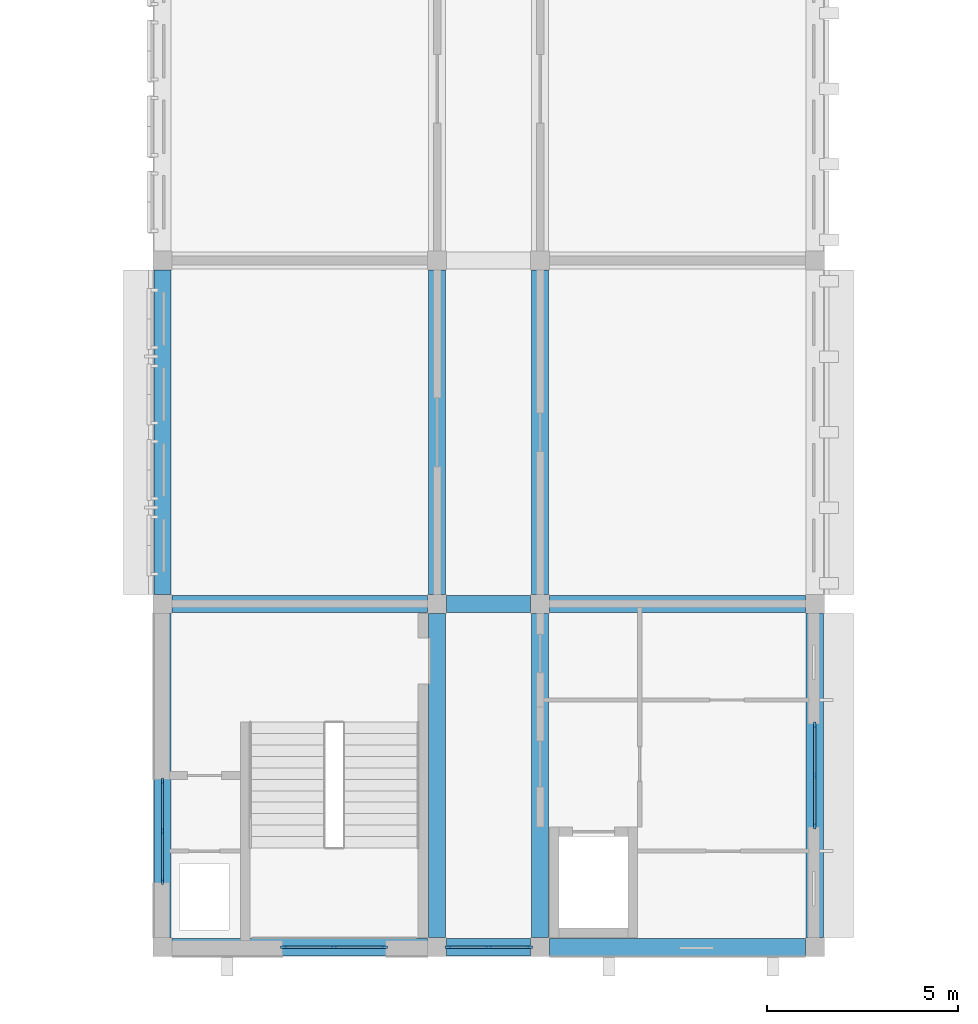
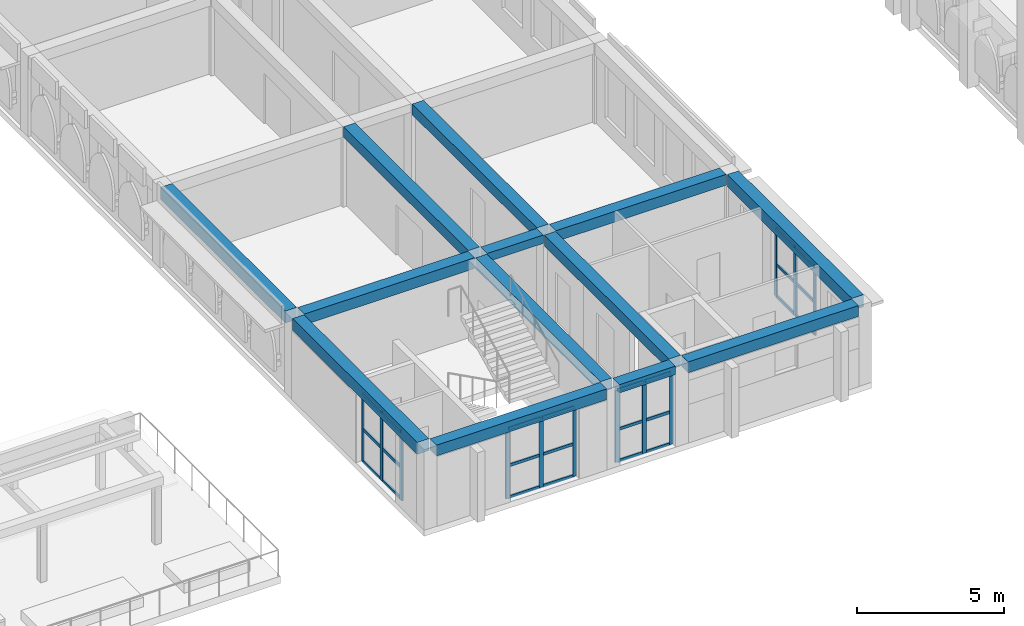
# One storey, part 13 of 70: 36 members, 13 beams, 4 elements without a shape of their own.
"""IFC4 building model written with IfcOpenShell, lengths in metres."""

from ifc_helpers import new_model, si_unit, direction, frame, origin, origin_2d, place, context, subcontext, project, spatial, rectangle, extrude, material, layer, layer_set, material_profile, profile_set, type_object, element, aggregate, save


model = new_model("IFC4")

# Units and contexts
model_context = context("Model", 3, precision=1e-05, world=origin(), true_north=direction((0.0, 1.0)))
body_context = subcontext(model_context, "Body", "Model", "MODEL_VIEW")
ifc_project = project(units=[si_unit("LENGTHUNIT", "METRE"), si_unit("AREAUNIT", "SQUARE_METRE"), si_unit("VOLUMEUNIT", "CUBIC_METRE"), si_unit("PLANEANGLEUNIT", "RADIAN"), si_unit("MASSUNIT", "GRAM", prefix="KILO")], contexts=[model_context])

# Site, building, storey
site_placement = place(None, origin())
site = spatial("IfcSite", under=ifc_project, at=site_placement, CompositionType="ELEMENT")
building_placement = place(site_placement, origin())
building = spatial("IfcBuilding", under=site, at=building_placement, Name="Elbe Cascade School", CompositionType="ELEMENT")
storey_placement = place(building_placement, frame((0.0, 0.0, 8.10009765625)))
storey = spatial("IfcBuildingStorey", under=building, at=storey_placement, Name="L02", CompositionType="ELEMENT", Elevation=8.10009765625)

# Curtain wall, members
ifc_material_1 = material(Name="Aluminium frame with double glazing, bronze anodised", Category="aluminium")
ifc_layer = layer(ifc_material_1, 0.159912109375)
ifc_layer_set = layer_set([ifc_layer], Name="Aluminium frame with double glazing, bronze anodised")
curtain_wall_type = type_object("IfcCurtainWallType", Name="Bars envelope Curtain wall, aluminium, bronze anodised, storey-high slot", PredefinedType="NOTDEFINED", material=ifc_layer_set)
curtain_wall_1_placement = place(storey_placement, origin())
curtain_wall_1 = element("IfcCurtainWall", 1, at=curtain_wall_1_placement, inside=storey, type_object=curtain_wall_type, Name="Curtain wall CW4 A.L02.w1", PredefinedType="NOTDEFINED")
ifc_material_2 = material(Name="Aluminium mullion, bronze anodised", Category="aluminium")
ifc_material_profile_1 = material_profile(ifc_material_2, rectangle(XDim=0.06005859375, YDim=0.159912109375, at=origin_2d()), Name="Bars envelope Curtain wall mullion 60 x 160, aluminium, storey-high slot")
ifc_profile_set_1 = profile_set([ifc_material_profile_1], Name="Aluminium mullion, bronze anodised")
member_type_1 = type_object("IfcMemberType", Name="Bars envelope Curtain wall mullion 60 x 160, aluminium, storey-high slot", PredefinedType="MULLION", material=ifc_profile_set_1)
member_1_placement = place(storey_placement, frame((69.0, 7.719970703125, 0.0), z_axis=(0.0, 0.0, 1.0), x_axis=(-1.0, 0.0, 0.0)))
member_1 = element("IfcMember", 2, at=member_1_placement, type_object=member_type_1, Name="CW4 mullion 1", PredefinedType="MULLION", context=body_context, shape_type="SweptSolid", body=[
    extrude(rectangle(XDim=0.06005859375, YDim=0.159912109375, at=origin_2d()), origin(), (0.0, 0.0, 1.0), 2.849853515625),
])
member_2_placement = place(storey_placement, frame((69.0, 9.0400390625, 0.0), z_axis=(0.0, 0.0, 1.0), x_axis=(-1.0, 0.0, 0.0)))
member_2 = element("IfcMember", 3, at=member_2_placement, type_object=member_type_1, Name="CW4 mullion 2", PredefinedType="MULLION", context=body_context, shape_type="SweptSolid", body=[
    extrude(rectangle(XDim=0.06005859375, YDim=0.159912109375, at=origin_2d()), origin(), (0.0, 0.0, 1.0), 2.849853515625),
])
member_3_placement = place(storey_placement, frame((69.0, 10.360107421875, 0.0), z_axis=(0.0, 0.0, 1.0), x_axis=(-1.0, 0.0, 0.0)))
member_3 = element("IfcMember", 4, at=member_3_placement, type_object=member_type_1, Name="CW4 mullion 3", PredefinedType="MULLION", context=body_context, shape_type="SweptSolid", body=[
    extrude(rectangle(XDim=0.06005859375, YDim=0.159912109375, at=origin_2d()), origin(), (0.0, 0.0, 1.0), 2.849853515625),
])

curtain_wall_2_placement = place(storey_placement, origin())
curtain_wall_2 = element("IfcCurtainWall", 5, at=curtain_wall_2_placement, inside=storey, type_object=curtain_wall_type, Name="Curtain wall CW4 A.L02.e1", PredefinedType="NOTDEFINED")
member_4_placement = place(storey_placement, frame((86.10009765625, 11.820068359375, 0.0), z_axis=(0.0, 0.0, 1.0), x_axis=(1.0, 0.0, 0.0)))
member_4 = element("IfcMember", 6, at=member_4_placement, type_object=member_type_1, Name="CW4 mullion 1", PredefinedType="MULLION", context=body_context, shape_type="SweptSolid", body=[
    extrude(rectangle(XDim=0.06005859375, YDim=0.159912109375, at=origin_2d()), origin(), (0.0, 0.0, 1.0), 2.849853515625),
])
member_5_placement = place(storey_placement, frame((86.10009765625, 10.5, 0.0), z_axis=(0.0, 0.0, 1.0), x_axis=(1.0, 0.0, 0.0)))
member_5 = element("IfcMember", 7, at=member_5_placement, type_object=member_type_1, Name="CW4 mullion 2", PredefinedType="MULLION", context=body_context, shape_type="SweptSolid", body=[
    extrude(rectangle(XDim=0.06005859375, YDim=0.159912109375, at=origin_2d()), origin(), (0.0, 0.0, 1.0), 2.849853515625),
])
member_6_placement = place(storey_placement, frame((86.10009765625, 9.179931640625, 0.0), z_axis=(0.0, 0.0, 1.0), x_axis=(1.0, 0.0, 0.0)))
member_6 = element("IfcMember", 8, at=member_6_placement, type_object=member_type_1, Name="CW4 mullion 3", PredefinedType="MULLION", context=body_context, shape_type="SweptSolid", body=[
    extrude(rectangle(XDim=0.06005859375, YDim=0.159912109375, at=origin_2d()), origin(), (0.0, 0.0, 1.0), 2.849853515625),
])

curtain_wall_3_placement = place(storey_placement, origin())
curtain_wall_3 = element("IfcCurtainWall", 9, at=curtain_wall_3_placement, inside=storey, type_object=curtain_wall_type, Name="Curtain wall CW4 A.L02.s1", PredefinedType="NOTDEFINED")
member_7_placement = place(storey_placement, frame((74.820068359375, 6.0, 0.0), z_axis=(0.0, 0.0, 1.0), x_axis=(0.0, -1.0, 0.0)))
member_7 = element("IfcMember", 10, at=member_7_placement, type_object=member_type_1, Name="CW4 mullion 1", PredefinedType="MULLION", context=body_context, shape_type="SweptSolid", body=[
    extrude(rectangle(XDim=0.06005859375, YDim=0.159912109375, at=origin_2d()), origin(), (0.0, 0.0, 1.0), 2.89990234375),
])
member_8_placement = place(storey_placement, frame((73.5, 6.0, 0.0), z_axis=(0.0, 0.0, 1.0), x_axis=(0.0, -1.0, 0.0)))
member_8 = element("IfcMember", 11, at=member_8_placement, type_object=member_type_1, Name="CW4 mullion 2", PredefinedType="MULLION", context=body_context, shape_type="SweptSolid", body=[
    extrude(rectangle(XDim=0.06005859375, YDim=0.159912109375, at=origin_2d()), origin(), (0.0, 0.0, 1.0), 2.89990234375),
])
member_9_placement = place(storey_placement, frame((72.179931640625, 6.0, 0.0), z_axis=(0.0, 0.0, 1.0), x_axis=(0.0, -1.0, 0.0)))
member_9 = element("IfcMember", 12, at=member_9_placement, type_object=member_type_1, Name="CW4 mullion 3", PredefinedType="MULLION", context=body_context, shape_type="SweptSolid", body=[
    extrude(rectangle(XDim=0.06005859375, YDim=0.159912109375, at=origin_2d()), origin(), (0.0, 0.0, 1.0), 2.89990234375),
])

curtain_wall_4_placement = place(storey_placement, origin())
curtain_wall_4 = element("IfcCurtainWall", 13, at=curtain_wall_4_placement, inside=storey, type_object=curtain_wall_type, Name="Curtain wall CW4 A.L02.s2", PredefinedType="NOTDEFINED")
member_10_placement = place(storey_placement, frame((78.6201171875, 6.0, 0.0), z_axis=(0.0, 0.0, 1.0), x_axis=(0.0, -1.0, 0.0)))
member_10 = element("IfcMember", 14, at=member_10_placement, type_object=member_type_1, Name="CW4 mullion 1", PredefinedType="MULLION", context=body_context, shape_type="SweptSolid", body=[
    extrude(rectangle(XDim=0.06005859375, YDim=0.159912109375, at=origin_2d()), origin(), (0.0, 0.0, 1.0), 3.0),
])
member_11_placement = place(storey_placement, frame((77.550048828125, 6.0, 0.0), z_axis=(0.0, 0.0, 1.0), x_axis=(0.0, -1.0, 0.0)))
member_11 = element("IfcMember", 15, at=member_11_placement, type_object=member_type_1, Name="CW4 mullion 2", PredefinedType="MULLION", context=body_context, shape_type="SweptSolid", body=[
    extrude(rectangle(XDim=0.06005859375, YDim=0.159912109375, at=origin_2d()), origin(), (0.0, 0.0, 1.0), 3.0),
])
member_12_placement = place(storey_placement, frame((76.47998046875, 6.0, 0.0), z_axis=(0.0, 0.0, 1.0), x_axis=(0.0, -1.0, 0.0)))
member_12 = element("IfcMember", 16, at=member_12_placement, type_object=member_type_1, Name="CW4 mullion 3", PredefinedType="MULLION", context=body_context, shape_type="SweptSolid", body=[
    extrude(rectangle(XDim=0.06005859375, YDim=0.159912109375, at=origin_2d()), origin(), (0.0, 0.0, 1.0), 3.0),
])

# Member
ifc_material_3 = material(Name="Aluminium transom, bronze anodised", Category="aluminium")
ifc_material_profile_2 = material_profile(ifc_material_3, rectangle(XDim=0.06005859375, YDim=0.1201171875, at=origin_2d()), Name="Bars envelope Curtain wall transom 60 x 120, aluminium, storey-high slot")
ifc_profile_set_2 = profile_set([ifc_material_profile_2], Name="Aluminium transom, bronze anodised")
member_type_2 = type_object("IfcMemberType", Name="Bars envelope Curtain wall transom 60 x 120, aluminium, storey-high slot", PredefinedType="USERDEFINED", material=ifc_profile_set_2)
member_13_placement = place(storey_placement, frame((69.0, 7.75, 0.02978515625), z_axis=(0.0, 1.0, 0.0), x_axis=(-1.0, 0.0, 0.0)))
member_13 = element("IfcMember", 17, at=member_13_placement, type_object=member_type_2, Name="CW4 transom 1.1", ObjectType="TRANSOM", PredefinedType="USERDEFINED", context=body_context, shape_type="SweptSolid", body=[
    extrude(rectangle(XDim=0.06005859375, YDim=0.1201171875, at=origin_2d()), origin(), (0.0, 0.0, 1.0), 1.260009765625),
])

member_14_placement = place(storey_placement, frame((69.0, 7.75, 1.349853515625), z_axis=(0.0, 1.0, 0.0), x_axis=(-1.0, 0.0, 0.0)))
member_14 = element("IfcMember", 18, at=member_14_placement, type_object=member_type_2, Name="CW4 transom 1.2", ObjectType="TRANSOM", PredefinedType="USERDEFINED", context=body_context, shape_type="SweptSolid", body=[
    extrude(rectangle(XDim=0.06005859375, YDim=0.1201171875, at=origin_2d()), origin(), (0.0, 0.0, 1.0), 1.260009765625),
])

member_15_placement = place(storey_placement, frame((69.0, 7.75, 2.81982421875), z_axis=(0.0, 1.0, 0.0), x_axis=(-1.0, 0.0, 0.0)))
member_15 = element("IfcMember", 19, at=member_15_placement, type_object=member_type_2, Name="CW4 transom 1.3", ObjectType="TRANSOM", PredefinedType="USERDEFINED", context=body_context, shape_type="SweptSolid", body=[
    extrude(rectangle(XDim=0.06005859375, YDim=0.1201171875, at=origin_2d()), origin(), (0.0, 0.0, 1.0), 1.260009765625),
])

member_16_placement = place(storey_placement, frame((69.0, 9.070068359375, 0.02978515625), z_axis=(0.0, 1.0, 0.0), x_axis=(-1.0, 0.0, 0.0)))
member_16 = element("IfcMember", 20, at=member_16_placement, type_object=member_type_2, Name="CW4 transom 2.1", ObjectType="TRANSOM", PredefinedType="USERDEFINED", context=body_context, shape_type="SweptSolid", body=[
    extrude(rectangle(XDim=0.06005859375, YDim=0.1201171875, at=origin_2d()), origin(), (0.0, 0.0, 1.0), 1.260009765625),
])

member_17_placement = place(storey_placement, frame((69.0, 9.070068359375, 1.349853515625), z_axis=(0.0, 1.0, 0.0), x_axis=(-1.0, 0.0, 0.0)))
member_17 = element("IfcMember", 21, at=member_17_placement, type_object=member_type_2, Name="CW4 transom 2.2", ObjectType="TRANSOM", PredefinedType="USERDEFINED", context=body_context, shape_type="SweptSolid", body=[
    extrude(rectangle(XDim=0.06005859375, YDim=0.1201171875, at=origin_2d()), origin(), (0.0, 0.0, 1.0), 1.260009765625),
])

member_18_placement = place(storey_placement, frame((69.0, 9.070068359375, 2.81982421875), z_axis=(0.0, 1.0, 0.0), x_axis=(-1.0, 0.0, 0.0)))
member_18 = element("IfcMember", 22, at=member_18_placement, type_object=member_type_2, Name="CW4 transom 2.3", ObjectType="TRANSOM", PredefinedType="USERDEFINED", context=body_context, shape_type="SweptSolid", body=[
    extrude(rectangle(XDim=0.06005859375, YDim=0.1201171875, at=origin_2d()), origin(), (0.0, 0.0, 1.0), 1.260009765625),
])

aggregate(curtain_wall_1, [member_1, member_2, member_3, member_13, member_14, member_15, member_16, member_17, member_18])

member_19_placement = place(storey_placement, frame((86.10009765625, 11.7900390625, 0.02978515625), z_axis=(0.0, -1.0, 0.0), x_axis=(1.0, 0.0, 0.0)))
member_19 = element("IfcMember", 23, at=member_19_placement, type_object=member_type_2, Name="CW4 transom 1.1", ObjectType="TRANSOM", PredefinedType="USERDEFINED", context=body_context, shape_type="SweptSolid", body=[
    extrude(rectangle(XDim=0.06005859375, YDim=0.1201171875, at=origin_2d()), origin(), (0.0, 0.0, 1.0), 1.260009765625),
])

member_20_placement = place(storey_placement, frame((86.10009765625, 11.7900390625, 1.349853515625), z_axis=(0.0, -1.0, 0.0), x_axis=(1.0, 0.0, 0.0)))
member_20 = element("IfcMember", 24, at=member_20_placement, type_object=member_type_2, Name="CW4 transom 1.2", ObjectType="TRANSOM", PredefinedType="USERDEFINED", context=body_context, shape_type="SweptSolid", body=[
    extrude(rectangle(XDim=0.06005859375, YDim=0.1201171875, at=origin_2d()), origin(), (0.0, 0.0, 1.0), 1.260009765625),
])

member_21_placement = place(storey_placement, frame((86.10009765625, 11.7900390625, 2.81982421875), z_axis=(0.0, -1.0, 0.0), x_axis=(1.0, 0.0, 0.0)))
member_21 = element("IfcMember", 25, at=member_21_placement, type_object=member_type_2, Name="CW4 transom 1.3", ObjectType="TRANSOM", PredefinedType="USERDEFINED", context=body_context, shape_type="SweptSolid", body=[
    extrude(rectangle(XDim=0.06005859375, YDim=0.1201171875, at=origin_2d()), origin(), (0.0, 0.0, 1.0), 1.260009765625),
])

member_22_placement = place(storey_placement, frame((86.10009765625, 10.469970703125, 0.02978515625), z_axis=(0.0, -1.0, 0.0), x_axis=(1.0, 0.0, 0.0)))
member_22 = element("IfcMember", 26, at=member_22_placement, type_object=member_type_2, Name="CW4 transom 2.1", ObjectType="TRANSOM", PredefinedType="USERDEFINED", context=body_context, shape_type="SweptSolid", body=[
    extrude(rectangle(XDim=0.06005859375, YDim=0.1201171875, at=origin_2d()), origin(), (0.0, 0.0, 1.0), 1.260009765625),
])

member_23_placement = place(storey_placement, frame((86.10009765625, 10.469970703125, 1.349853515625), z_axis=(0.0, -1.0, 0.0), x_axis=(1.0, 0.0, 0.0)))
member_23 = element("IfcMember", 27, at=member_23_placement, type_object=member_type_2, Name="CW4 transom 2.2", ObjectType="TRANSOM", PredefinedType="USERDEFINED", context=body_context, shape_type="SweptSolid", body=[
    extrude(rectangle(XDim=0.06005859375, YDim=0.1201171875, at=origin_2d()), origin(), (0.0, 0.0, 1.0), 1.260009765625),
])

member_24_placement = place(storey_placement, frame((86.10009765625, 10.469970703125, 2.81982421875), z_axis=(0.0, -1.0, 0.0), x_axis=(1.0, 0.0, 0.0)))
member_24 = element("IfcMember", 28, at=member_24_placement, type_object=member_type_2, Name="CW4 transom 2.3", ObjectType="TRANSOM", PredefinedType="USERDEFINED", context=body_context, shape_type="SweptSolid", body=[
    extrude(rectangle(XDim=0.06005859375, YDim=0.1201171875, at=origin_2d()), origin(), (0.0, 0.0, 1.0), 1.260009765625),
])

aggregate(curtain_wall_2, [member_4, member_5, member_6, member_19, member_20, member_21, member_22, member_23, member_24])

member_25_placement = place(storey_placement, frame((74.7900390625, 6.0, 0.02978515625), z_axis=(-1.0, 0.0, 0.0), x_axis=(0.0, -1.0, 0.0)))
member_25 = element("IfcMember", 29, at=member_25_placement, type_object=member_type_2, Name="CW4 transom 1.1", ObjectType="TRANSOM", PredefinedType="USERDEFINED", context=body_context, shape_type="SweptSolid", body=[
    extrude(rectangle(XDim=0.06005859375, YDim=0.1201171875, at=origin_2d()), origin(), (0.0, 0.0, 1.0), 1.260009765625),
])

member_26_placement = place(storey_placement, frame((74.7900390625, 6.0, 1.349853515625), z_axis=(-1.0, 0.0, 0.0), x_axis=(0.0, -1.0, 0.0)))
member_26 = element("IfcMember", 30, at=member_26_placement, type_object=member_type_2, Name="CW4 transom 1.2", ObjectType="TRANSOM", PredefinedType="USERDEFINED", context=body_context, shape_type="SweptSolid", body=[
    extrude(rectangle(XDim=0.06005859375, YDim=0.1201171875, at=origin_2d()), origin(), (0.0, 0.0, 1.0), 1.260009765625),
])

member_27_placement = place(storey_placement, frame((74.7900390625, 6.0, 2.869873046875), z_axis=(-1.0, 0.0, 0.0), x_axis=(0.0, -1.0, 0.0)))
member_27 = element("IfcMember", 31, at=member_27_placement, type_object=member_type_2, Name="CW4 transom 1.3", ObjectType="TRANSOM", PredefinedType="USERDEFINED", context=body_context, shape_type="SweptSolid", body=[
    extrude(rectangle(XDim=0.06005859375, YDim=0.1201171875, at=origin_2d()), origin(), (0.0, 0.0, 1.0), 1.260009765625),
])

member_28_placement = place(storey_placement, frame((73.469970703125, 6.0, 0.02978515625), z_axis=(-1.0, 0.0, 0.0), x_axis=(0.0, -1.0, 0.0)))
member_28 = element("IfcMember", 32, at=member_28_placement, type_object=member_type_2, Name="CW4 transom 2.1", ObjectType="TRANSOM", PredefinedType="USERDEFINED", context=body_context, shape_type="SweptSolid", body=[
    extrude(rectangle(XDim=0.06005859375, YDim=0.1201171875, at=origin_2d()), origin(), (0.0, 0.0, 1.0), 1.260009765625),
])

member_29_placement = place(storey_placement, frame((73.469970703125, 6.0, 1.349853515625), z_axis=(-1.0, 0.0, 0.0), x_axis=(0.0, -1.0, 0.0)))
member_29 = element("IfcMember", 33, at=member_29_placement, type_object=member_type_2, Name="CW4 transom 2.2", ObjectType="TRANSOM", PredefinedType="USERDEFINED", context=body_context, shape_type="SweptSolid", body=[
    extrude(rectangle(XDim=0.06005859375, YDim=0.1201171875, at=origin_2d()), origin(), (0.0, 0.0, 1.0), 1.260009765625),
])

member_30_placement = place(storey_placement, frame((73.469970703125, 6.0, 2.869873046875), z_axis=(-1.0, 0.0, 0.0), x_axis=(0.0, -1.0, 0.0)))
member_30 = element("IfcMember", 34, at=member_30_placement, type_object=member_type_2, Name="CW4 transom 2.3", ObjectType="TRANSOM", PredefinedType="USERDEFINED", context=body_context, shape_type="SweptSolid", body=[
    extrude(rectangle(XDim=0.06005859375, YDim=0.1201171875, at=origin_2d()), origin(), (0.0, 0.0, 1.0), 1.260009765625),
])

aggregate(curtain_wall_3, [member_7, member_8, member_9, member_25, member_26, member_27, member_28, member_29, member_30])

member_31_placement = place(storey_placement, frame((78.590087890625, 6.0, 0.02978515625), z_axis=(-1.0, 0.0, 0.0), x_axis=(0.0, -1.0, 0.0)))
member_31 = element("IfcMember", 35, at=member_31_placement, type_object=member_type_2, Name="CW4 transom 1.1", ObjectType="TRANSOM", PredefinedType="USERDEFINED", context=body_context, shape_type="SweptSolid", body=[
    extrude(rectangle(XDim=0.06005859375, YDim=0.1201171875, at=origin_2d()), origin(), (0.0, 0.0, 1.0), 1.010009765625),
])

member_32_placement = place(storey_placement, frame((78.590087890625, 6.0, 1.349853515625), z_axis=(-1.0, 0.0, 0.0), x_axis=(0.0, -1.0, 0.0)))
member_32 = element("IfcMember", 36, at=member_32_placement, type_object=member_type_2, Name="CW4 transom 1.2", ObjectType="TRANSOM", PredefinedType="USERDEFINED", context=body_context, shape_type="SweptSolid", body=[
    extrude(rectangle(XDim=0.06005859375, YDim=0.1201171875, at=origin_2d()), origin(), (0.0, 0.0, 1.0), 1.010009765625),
])

member_33_placement = place(storey_placement, frame((78.590087890625, 6.0, 2.969970703125), z_axis=(-1.0, 0.0, 0.0), x_axis=(0.0, -1.0, 0.0)))
member_33 = element("IfcMember", 37, at=member_33_placement, type_object=member_type_2, Name="CW4 transom 1.3", ObjectType="TRANSOM", PredefinedType="USERDEFINED", context=body_context, shape_type="SweptSolid", body=[
    extrude(rectangle(XDim=0.06005859375, YDim=0.1201171875, at=origin_2d()), origin(), (0.0, 0.0, 1.0), 1.010009765625),
])

member_34_placement = place(storey_placement, frame((77.52001953125, 6.0, 0.02978515625), z_axis=(-1.0, 0.0, 0.0), x_axis=(0.0, -1.0, 0.0)))
member_34 = element("IfcMember", 38, at=member_34_placement, type_object=member_type_2, Name="CW4 transom 2.1", ObjectType="TRANSOM", PredefinedType="USERDEFINED", context=body_context, shape_type="SweptSolid", body=[
    extrude(rectangle(XDim=0.06005859375, YDim=0.1201171875, at=origin_2d()), origin(), (0.0, 0.0, 1.0), 1.010009765625),
])

member_35_placement = place(storey_placement, frame((77.52001953125, 6.0, 1.349853515625), z_axis=(-1.0, 0.0, 0.0), x_axis=(0.0, -1.0, 0.0)))
member_35 = element("IfcMember", 39, at=member_35_placement, type_object=member_type_2, Name="CW4 transom 2.2", ObjectType="TRANSOM", PredefinedType="USERDEFINED", context=body_context, shape_type="SweptSolid", body=[
    extrude(rectangle(XDim=0.06005859375, YDim=0.1201171875, at=origin_2d()), origin(), (0.0, 0.0, 1.0), 1.010009765625),
])

member_36_placement = place(storey_placement, frame((77.52001953125, 6.0, 2.969970703125), z_axis=(-1.0, 0.0, 0.0), x_axis=(0.0, -1.0, 0.0)))
member_36 = element("IfcMember", 40, at=member_36_placement, type_object=member_type_2, Name="CW4 transom 2.3", ObjectType="TRANSOM", PredefinedType="USERDEFINED", context=body_context, shape_type="SweptSolid", body=[
    extrude(rectangle(XDim=0.06005859375, YDim=0.1201171875, at=origin_2d()), origin(), (0.0, 0.0, 1.0), 1.010009765625),
])

aggregate(curtain_wall_4, [member_10, member_11, member_12, member_31, member_32, member_33, member_34, member_35, member_36])

# Beams
ifc_material_4 = material(Name="Concrete C30/37", Category="concrete")
ifc_material_profile_3 = material_profile(ifc_material_4, rectangle(XDim=0.449951171875, YDim=0.35009765625, at=origin_2d()), Name="RC 450x350")
ifc_profile_set_3 = profile_set([ifc_material_profile_3], Name="Concrete C30/37")
beam_type_1 = type_object("IfcBeamType", Name="RC 450x350 beam", PredefinedType="BEAM", material=ifc_profile_set_3)
for number, where, z_axis, x_axis, name in (
    (41, (76.449951171875, 6.0, 3.1748046875), (1.0, 0.0, 0.0), (0.0, 1.0, 0.0), "RC 450x350 beam B11"),
    (42, (76.449951171875, 15.0, 3.1748046875), (1.0, 0.0, 0.0), (0.0, 1.0, 0.0), "RC 450x350 beam B11"),
):
    element("IfcBeam", number, at=place(storey_placement, frame(where, z_axis=z_axis, x_axis=x_axis)), inside=storey, type_object=beam_type_1, Name=name, PredefinedType="BEAM", context=body_context, shape_type="SweptSolid", body=[
        extrude(rectangle(XDim=0.449951171875, YDim=0.35009765625, at=origin_2d()), origin(), (0.0, 0.0, 1.0), 2.199951171875),
    ])
ifc_material_5 = material(Name="Concrete C30/37", Category="concrete")
ifc_material_profile_4 = material_profile(ifc_material_5, rectangle(XDim=0.449951171875, YDim=0.449951171875, at=origin_2d()), Name="RC 450x450")
ifc_profile_set_4 = profile_set([ifc_material_profile_4], Name="Concrete C30/37")
beam_type_2 = type_object("IfcBeamType", Name="RC 450x450 beam", PredefinedType="BEAM", material=ifc_profile_set_4)
for number, where, z_axis, x_axis, name in (
    (43, (76.199951171875, 6.25, 3.125), (0.0, 1.0, 0.0), (-1.0, 0.0, 0.0), "RC 450x450 beam B10"),
    (44, (76.199951171875, 15.25, 3.125), (0.0, 1.0, 0.0), (-1.0, 0.0, 0.0), "RC 450x450 beam B10"),
    (45, (78.89990234375, 6.25, 3.125), (0.0, 1.0, 0.0), (-1.0, 0.0, 0.0), "RC 450x450 beam B10"),
    (46, (78.89990234375, 15.25, 3.125), (0.0, 1.0, 0.0), (-1.0, 0.0, 0.0), "RC 450x450 beam B10"),
):
    element("IfcBeam", number, at=place(storey_placement, frame(where, z_axis=z_axis, x_axis=x_axis)), inside=storey, type_object=beam_type_2, Name=name, PredefinedType="BEAM", context=body_context, shape_type="SweptSolid", body=[
        extrude(rectangle(XDim=0.449951171875, YDim=0.449951171875, at=origin_2d()), origin(), (0.0, 0.0, 1.0), 8.5),
    ])
beam_1_placement = place(storey_placement, frame((69.25, 6.0, 3.125), z_axis=(1.0, 0.0, 0.0), x_axis=(0.0, 1.0, 0.0)))
element("IfcBeam", 47, at=beam_1_placement, inside=storey, type_object=beam_type_2, Name="RC 450x450 beam B10", PredefinedType="BEAM", context=body_context, shape_type="SweptSolid", body=[
    extrude(rectangle(XDim=0.449951171875, YDim=0.449951171875, at=origin_2d()), origin(), (0.0, 0.0, 1.0), 6.699951171875),
])
beam_2_placement = place(storey_placement, frame((79.14990234375, 6.0, 3.125), z_axis=(1.0, 0.0, 0.0), x_axis=(0.0, 1.0, 0.0)))
element("IfcBeam", 48, at=beam_2_placement, inside=storey, type_object=beam_type_2, Name="RC 450x450 beam B10", PredefinedType="BEAM", context=body_context, shape_type="SweptSolid", body=[
    extrude(rectangle(XDim=0.449951171875, YDim=0.449951171875, at=origin_2d()), origin(), (0.0, 0.0, 1.0), 6.7001953125),
])
beam_3_placement = place(storey_placement, frame((69.25, 15.0, 3.125), z_axis=(1.0, 0.0, 0.0), x_axis=(0.0, 1.0, 0.0)))
element("IfcBeam", 49, at=beam_3_placement, inside=storey, type_object=beam_type_2, Name="RC 450x450 beam B10", PredefinedType="BEAM", context=body_context, shape_type="SweptSolid", body=[
    extrude(rectangle(XDim=0.449951171875, YDim=0.449951171875, at=origin_2d()), origin(), (0.0, 0.0, 1.0), 6.699951171875),
])
beam_4_placement = place(storey_placement, frame((79.14990234375, 15.0, 3.125), z_axis=(1.0, 0.0, 0.0), x_axis=(0.0, 1.0, 0.0)))
element("IfcBeam", 50, at=beam_4_placement, inside=storey, type_object=beam_type_2, Name="RC 450x450 beam B10", PredefinedType="BEAM", context=body_context, shape_type="SweptSolid", body=[
    extrude(rectangle(XDim=0.449951171875, YDim=0.449951171875, at=origin_2d()), origin(), (0.0, 0.0, 1.0), 6.7001953125),
])
ifc_material_6 = material(Name="Concrete C30/37", Category="concrete")
ifc_material_profile_5 = material_profile(ifc_material_6, rectangle(XDim=0.449951171875, YDim=0.5, at=origin_2d()), Name="RC 450x500")
ifc_profile_set_5 = profile_set([ifc_material_profile_5], Name="Concrete C30/37")
beam_type_3 = type_object("IfcBeamType", Name="RC 450x500 beam", PredefinedType="BEAM", material=ifc_profile_set_5)
for number, where, z_axis, x_axis, name in (
    (51, (69.0, 6.25, 3.099853515625), (0.0, 1.0, 0.0), (-1.0, 0.0, 0.0), "RC 450x500 beam B9"),
    (52, (69.0, 15.25, 3.099853515625), (0.0, 1.0, 0.0), (-1.0, 0.0, 0.0), "RC 450x500 beam B9"),
    (53, (86.10009765625, 6.25, 3.099853515625), (0.0, 1.0, 0.0), (-1.0, 0.0, 0.0), "RC 450x500 beam B9"),
):
    element("IfcBeam", number, at=place(storey_placement, frame(where, z_axis=z_axis, x_axis=x_axis)), inside=storey, type_object=beam_type_3, Name=name, PredefinedType="BEAM", context=body_context, shape_type="SweptSolid", body=[
        extrude(rectangle(XDim=0.449951171875, YDim=0.5, at=origin_2d()), origin(), (0.0, 0.0, 1.0), 8.5),
    ])

save(model, "model.ifc")
